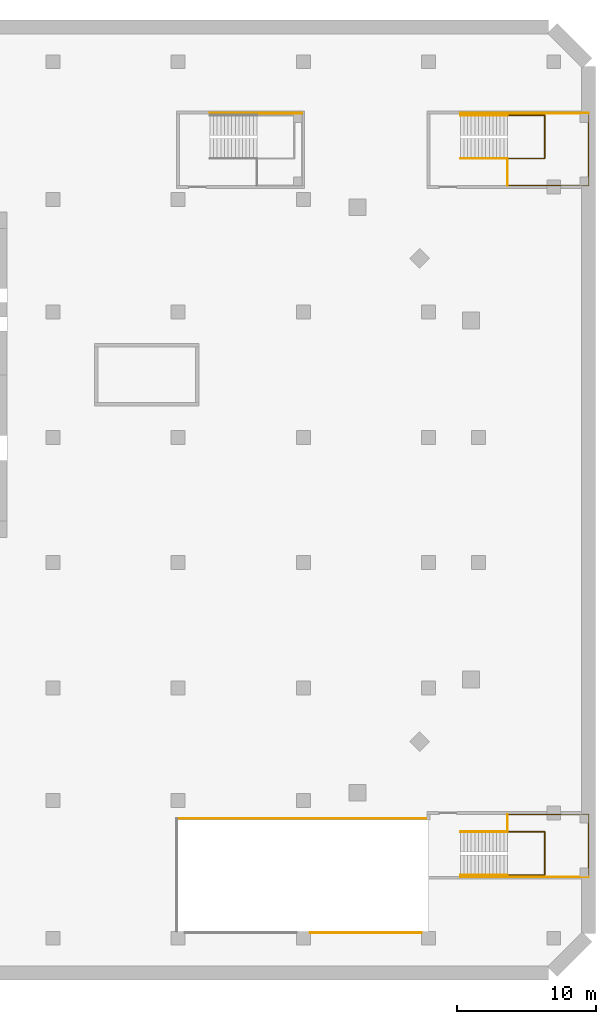
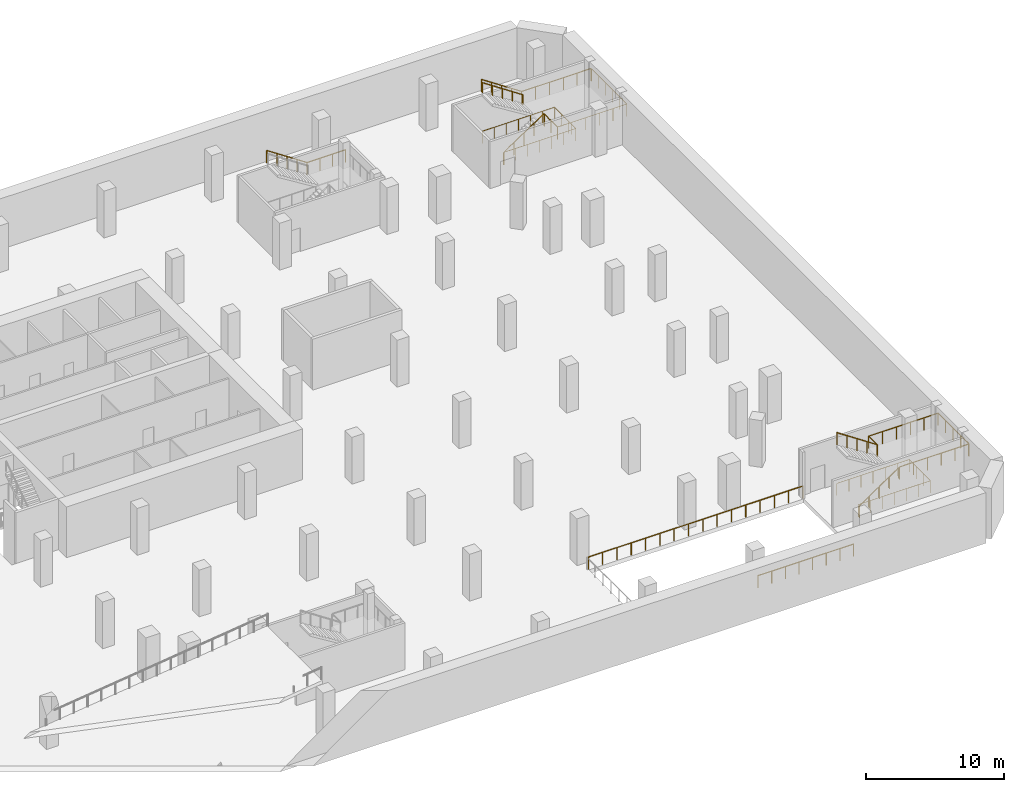
# One storey, part 15 of 16: 15 railings.
"""IFC4 building model written with IfcOpenShell, lengths in metres."""

from ifc_helpers import new_model, si_unit, direction, frame, origin, origin_2d, place, context, subcontext, project, spatial, circle, extrude, material, type_object, element, save


model = new_model("IFC4")

# Units and contexts
model_context = context("Model", 3, precision=1e-05, world=origin(), true_north=direction((0.0, 1.0)))
body_context = subcontext(model_context, "Body", "Model", "MODEL_VIEW")
ifc_project = project(units=[si_unit("LENGTHUNIT", "METRE"), si_unit("AREAUNIT", "SQUARE_METRE"), si_unit("VOLUMEUNIT", "CUBIC_METRE"), si_unit("PLANEANGLEUNIT", "RADIAN"), si_unit("MASSUNIT", "GRAM", prefix="KILO")], contexts=[model_context])

# Site, building, storey
site_placement = place(None, origin())
site = spatial("IfcSite", under=ifc_project, at=site_placement, CompositionType="ELEMENT")
building_placement = place(site_placement, origin())
building = spatial("IfcBuilding", under=site, at=building_placement, Name="Cinnabar Reach Civic Tower", CompositionType="ELEMENT")
storey_placement = place(building_placement, frame((0.0, 0.0, -9.5)))
storey = spatial("IfcBuildingStorey", under=building, at=storey_placement, Name="B2", CompositionType="ELEMENT", Elevation=-9.5)

# Railings
ifc_material_1 = material(Name="Stainless steel and glass", Category="steel")
railing_type_1 = type_object("IfcRailingType", Name="Podium guard 1100", PredefinedType="GUARDRAIL", material=ifc_material_1)
railing_1_placement = place(storey_placement, frame((59.68, -1.35, 2.25)))
element("IfcRailing", 1, at=railing_1_placement, inside=storey, type_object=railing_type_1, Name="Stair guard PS4 B2", PredefinedType="GUARDRAIL", context=body_context, shape_type="SweptSolid", body=[
    extrude(circle(Radius=0.024, at=origin_2d()), frame((0.0, 0.0, 1.076), z_axis=(-0.832428993721, 0.0, 0.554131726589), x_axis=(0.0, -1.0, 0.0)), (0.0, 0.0, 1.0), 4.0604),
    extrude(circle(Radius=0.021, at=origin_2d()), origin(), (0.0, 0.0, 1.0), 1.052),
    extrude(circle(Radius=0.021, at=origin_2d()), frame((-0.845, 0.0, 0.5625)), (0.0, 0.0, 1.0), 1.052),
    extrude(circle(Radius=0.021, at=origin_2d()), frame((-1.69, 0.0, 1.125)), (0.0, 0.0, 1.0), 1.052),
    extrude(circle(Radius=0.021, at=origin_2d()), frame((-2.535, 0.0, 1.6875)), (0.0, 0.0, 1.0), 1.052),
    extrude(circle(Radius=0.021, at=origin_2d()), frame((-3.38, 0.0, 2.25)), (0.0, 0.0, 1.0), 1.052),
])
railing_2_placement = place(storey_placement, frame((59.68, -0.1, 2.25)))
element("IfcRailing", 2, at=railing_2_placement, inside=storey, type_object=railing_type_1, Name="Landing guard PS4 B2", PredefinedType="GUARDRAIL", context=body_context, shape_type="SweptSolid", body=[
    extrude(circle(Radius=0.024, at=origin_2d()), frame((0.0, 0.0, 1.076), z_axis=(1.0, 0.0, 0.0), x_axis=(0.0, 1.0, 0.0)), (0.0, 0.0, 1.0), 5.82),
    extrude(circle(Radius=0.024, at=origin_2d()), frame((5.82, 0.0, 1.076), z_axis=(0.0, -1.0, 0.0), x_axis=(1.0, 0.0, 0.0)), (0.0, 0.0, 1.0), 4.4),
    extrude(circle(Radius=0.021, at=origin_2d()), origin(), (0.0, 0.0, 1.0), 1.052),
    extrude(circle(Radius=0.021, at=origin_2d()), frame((1.164, 0.0, 0.0)), (0.0, 0.0, 1.0), 1.052),
    extrude(circle(Radius=0.021, at=origin_2d()), frame((2.328, 0.0, 0.0)), (0.0, 0.0, 1.0), 1.052),
    extrude(circle(Radius=0.021, at=origin_2d()), frame((3.492, 0.0, 0.0)), (0.0, 0.0, 1.0), 1.052),
    extrude(circle(Radius=0.021, at=origin_2d()), frame((4.656, 0.0, 0.0)), (0.0, 0.0, 1.0), 1.052),
    extrude(circle(Radius=0.021, at=origin_2d()), frame((5.82, 0.0, 0.0)), (0.0, 0.0, 1.0), 1.052),
    extrude(circle(Radius=0.021, at=origin_2d()), frame((5.82, -1.1, 0.0)), (0.0, 0.0, 1.0), 1.052),
    extrude(circle(Radius=0.021, at=origin_2d()), frame((5.82, -2.2, 0.0)), (0.0, 0.0, 1.0), 1.052),
    extrude(circle(Radius=0.021, at=origin_2d()), frame((5.82, -3.3, 0.0)), (0.0, 0.0, 1.0), 1.052),
    extrude(circle(Radius=0.021, at=origin_2d()), frame((5.82, -4.4, 0.0)), (0.0, 0.0, 1.0), 1.052),
])
railing_3_placement = place(storey_placement, frame((59.68, -1.3, 2.25)))
element("IfcRailing", 3, at=railing_3_placement, inside=storey, type_object=railing_type_1, Name="Landing guard PS4 B2 inner", PredefinedType="GUARDRAIL", context=body_context, shape_type="SweptSolid", body=[
    extrude(circle(Radius=0.024, at=origin_2d()), frame((0.0, 0.0, 1.076), z_axis=(0.0, 1.0, 0.0), x_axis=(-1.0, 0.0, 0.0)), (0.0, 0.0, 1.0), 1.2),
    extrude(circle(Radius=0.021, at=origin_2d()), origin(), (0.0, 0.0, 1.0), 1.052),
    extrude(circle(Radius=0.021, at=origin_2d()), frame((0.0, 1.2, 0.0)), (0.0, 0.0, 1.0), 1.052),
])
railing_4_placement = place(storey_placement, frame((56.3, -4.6, 0.0)))
element("IfcRailing", 4, at=railing_4_placement, inside=storey, type_object=railing_type_1, Name="Stair wall side guard PS4 B2", PredefinedType="GUARDRAIL", context=body_context, shape_type="SweptSolid", body=[
    extrude(circle(Radius=0.024, at=origin_2d()), frame((0.0, 0.0, 1.076), z_axis=(0.832428993721, 0.0, 0.554131726589), x_axis=(0.0, 1.0, 0.0)), (0.0, 0.0, 1.0), 4.0604),
    extrude(circle(Radius=0.024, at=origin_2d()), frame((3.38, 0.0, 3.326), z_axis=(1.0, 0.0, 0.0), x_axis=(0.0, 1.0, 0.0)), (0.0, 0.0, 1.0), 5.82),
    extrude(circle(Radius=0.021, at=origin_2d()), origin(), (0.0, 0.0, 1.0), 1.052),
    extrude(circle(Radius=0.021, at=origin_2d()), frame((0.845, 0.0, 0.5625)), (0.0, 0.0, 1.0), 1.052),
    extrude(circle(Radius=0.021, at=origin_2d()), frame((1.69, 0.0, 1.125)), (0.0, 0.0, 1.0), 1.052),
    extrude(circle(Radius=0.021, at=origin_2d()), frame((2.535, 0.0, 1.6875)), (0.0, 0.0, 1.0), 1.052),
    extrude(circle(Radius=0.021, at=origin_2d()), frame((3.38, 0.0, 2.25)), (0.0, 0.0, 1.0), 1.052),
    extrude(circle(Radius=0.021, at=origin_2d()), frame((4.544, 0.0, 2.25)), (0.0, 0.0, 1.0), 1.052),
    extrude(circle(Radius=0.021, at=origin_2d()), frame((5.708, 0.0, 2.25)), (0.0, 0.0, 1.0), 1.052),
    extrude(circle(Radius=0.021, at=origin_2d()), frame((6.872, 0.0, 2.25)), (0.0, 0.0, 1.0), 1.052),
    extrude(circle(Radius=0.021, at=origin_2d()), frame((8.036, 0.0, 2.25)), (0.0, 0.0, 1.0), 1.052),
    extrude(circle(Radius=0.021, at=origin_2d()), frame((9.2, 0.0, 2.25)), (0.0, 0.0, 1.0), 1.052),
])
railing_5_placement = place(storey_placement, frame((56.3, -4.45, 0.0)))
element("IfcRailing", 5, at=railing_5_placement, inside=storey, type_object=railing_type_1, Name="Stair well guard PS4 B2", PredefinedType="GUARDRAIL", context=body_context, shape_type="SweptSolid", body=[
    extrude(circle(Radius=0.024, at=origin_2d()), frame((0.0, 0.0, 1.076), z_axis=(1.0, 0.0, 0.0), x_axis=(0.0, 1.0, 0.0)), (0.0, 0.0, 1.0), 6.05),
    extrude(circle(Radius=0.024, at=origin_2d()), frame((6.05, 0.0, 1.076), z_axis=(0.0, 1.0, 0.0), x_axis=(-1.0, 0.0, 0.0)), (0.0, 0.0, 1.0), 3.1),
    extrude(circle(Radius=0.024, at=origin_2d()), frame((6.05, 3.1, 1.076), z_axis=(-1.0, 0.0, 0.0), x_axis=(0.0, -1.0, 0.0)), (0.0, 0.0, 1.0), 6.05),
    extrude(circle(Radius=0.021, at=origin_2d()), origin(), (0.0, 0.0, 1.0), 1.052),
    extrude(circle(Radius=0.021, at=origin_2d()), frame((1.0083, 0.0, 0.0)), (0.0, 0.0, 1.0), 1.052),
    extrude(circle(Radius=0.021, at=origin_2d()), frame((2.0167, 0.0, 0.0)), (0.0, 0.0, 1.0), 1.052),
    extrude(circle(Radius=0.021, at=origin_2d()), frame((3.025, 0.0, 0.0)), (0.0, 0.0, 1.0), 1.052),
    extrude(circle(Radius=0.021, at=origin_2d()), frame((4.0333, 0.0, 0.0)), (0.0, 0.0, 1.0), 1.052),
    extrude(circle(Radius=0.021, at=origin_2d()), frame((5.0417, 0.0, 0.0)), (0.0, 0.0, 1.0), 1.052),
    extrude(circle(Radius=0.021, at=origin_2d()), frame((6.05, 0.0, 0.0)), (0.0, 0.0, 1.0), 1.052),
    extrude(circle(Radius=0.021, at=origin_2d()), frame((6.05, 1.0333, 0.0)), (0.0, 0.0, 1.0), 1.052),
    extrude(circle(Radius=0.021, at=origin_2d()), frame((6.05, 2.0667, 0.0)), (0.0, 0.0, 1.0), 1.052),
    extrude(circle(Radius=0.021, at=origin_2d()), frame((6.05, 3.1, 0.0)), (0.0, 0.0, 1.0), 1.052),
    extrude(circle(Radius=0.021, at=origin_2d()), frame((5.0417, 3.1, 0.0)), (0.0, 0.0, 1.0), 1.052),
    extrude(circle(Radius=0.021, at=origin_2d()), frame((4.0333, 3.1, 0.0)), (0.0, 0.0, 1.0), 1.052),
    extrude(circle(Radius=0.021, at=origin_2d()), frame((3.025, 3.1, 0.0)), (0.0, 0.0, 1.0), 1.052),
    extrude(circle(Radius=0.021, at=origin_2d()), frame((2.0167, 3.1, 0.0)), (0.0, 0.0, 1.0), 1.052),
    extrude(circle(Radius=0.021, at=origin_2d()), frame((1.0083, 3.1, 0.0)), (0.0, 0.0, 1.0), 1.052),
    extrude(circle(Radius=0.021, at=origin_2d()), frame((0.0, 3.1, 0.0)), (0.0, 0.0, 1.0), 1.052),
])
railing_6_placement = place(storey_placement, frame((56.3, 47.05, 0.0)))
element("IfcRailing", 6, at=railing_6_placement, inside=storey, type_object=railing_type_1, Name="Stair guard PS5 B2", PredefinedType="GUARDRAIL", context=body_context, shape_type="SweptSolid", body=[
    extrude(circle(Radius=0.024, at=origin_2d()), frame((0.0, 0.0, 1.076), z_axis=(0.832428993721, 0.0, 0.554131726589), x_axis=(0.0, 1.0, 0.0)), (0.0, 0.0, 1.0), 4.0604),
    extrude(circle(Radius=0.021, at=origin_2d()), origin(), (0.0, 0.0, 1.0), 1.052),
    extrude(circle(Radius=0.021, at=origin_2d()), frame((0.845, 0.0, 0.5625)), (0.0, 0.0, 1.0), 1.052),
    extrude(circle(Radius=0.021, at=origin_2d()), frame((1.69, 0.0, 1.125)), (0.0, 0.0, 1.0), 1.052),
    extrude(circle(Radius=0.021, at=origin_2d()), frame((2.535, 0.0, 1.6875)), (0.0, 0.0, 1.0), 1.052),
    extrude(circle(Radius=0.021, at=origin_2d()), frame((3.38, 0.0, 2.25)), (0.0, 0.0, 1.0), 1.052),
])
railing_7_placement = place(storey_placement, frame((59.68, 45.1, 2.25)))
element("IfcRailing", 7, at=railing_7_placement, inside=storey, type_object=railing_type_1, Name="Landing guard PS5 B2", PredefinedType="GUARDRAIL", context=body_context, shape_type="SweptSolid", body=[
    extrude(circle(Radius=0.024, at=origin_2d()), frame((0.0, 0.0, 1.076), z_axis=(1.0, 0.0, 0.0), x_axis=(0.0, 1.0, 0.0)), (0.0, 0.0, 1.0), 5.82),
    extrude(circle(Radius=0.024, at=origin_2d()), frame((5.82, 0.0, 1.076), z_axis=(0.0, 1.0, 0.0), x_axis=(-1.0, 0.0, 0.0)), (0.0, 0.0, 1.0), 5.1),
    extrude(circle(Radius=0.021, at=origin_2d()), origin(), (0.0, 0.0, 1.0), 1.052),
    extrude(circle(Radius=0.021, at=origin_2d()), frame((1.164, 0.0, 0.0)), (0.0, 0.0, 1.0), 1.052),
    extrude(circle(Radius=0.021, at=origin_2d()), frame((2.328, 0.0, 0.0)), (0.0, 0.0, 1.0), 1.052),
    extrude(circle(Radius=0.021, at=origin_2d()), frame((3.492, 0.0, 0.0)), (0.0, 0.0, 1.0), 1.052),
    extrude(circle(Radius=0.021, at=origin_2d()), frame((4.656, 0.0, 0.0)), (0.0, 0.0, 1.0), 1.052),
    extrude(circle(Radius=0.021, at=origin_2d()), frame((5.82, 0.0, 0.0)), (0.0, 0.0, 1.0), 1.052),
    extrude(circle(Radius=0.021, at=origin_2d()), frame((5.82, 1.02, 0.0)), (0.0, 0.0, 1.0), 1.052),
    extrude(circle(Radius=0.021, at=origin_2d()), frame((5.82, 2.04, 0.0)), (0.0, 0.0, 1.0), 1.052),
    extrude(circle(Radius=0.021, at=origin_2d()), frame((5.82, 3.06, 0.0)), (0.0, 0.0, 1.0), 1.052),
    extrude(circle(Radius=0.021, at=origin_2d()), frame((5.82, 4.08, 0.0)), (0.0, 0.0, 1.0), 1.052),
    extrude(circle(Radius=0.021, at=origin_2d()), frame((5.82, 5.1, 0.0)), (0.0, 0.0, 1.0), 1.052),
])
railing_8_placement = place(storey_placement, frame((59.68, 45.1, 2.25)))
element("IfcRailing", 8, at=railing_8_placement, inside=storey, type_object=railing_type_1, Name="Landing guard PS5 B2 inner", PredefinedType="GUARDRAIL", context=body_context, shape_type="SweptSolid", body=[
    extrude(circle(Radius=0.024, at=origin_2d()), frame((0.0, 0.0, 1.076), z_axis=(0.0, 1.0, 0.0), x_axis=(-1.0, 0.0, 0.0)), (0.0, 0.0, 1.0), 1.9),
    extrude(circle(Radius=0.021, at=origin_2d()), origin(), (0.0, 0.0, 1.0), 1.052),
    extrude(circle(Radius=0.021, at=origin_2d()), frame((0.0, 0.95, 0.0)), (0.0, 0.0, 1.0), 1.052),
    extrude(circle(Radius=0.021, at=origin_2d()), frame((0.0, 1.9, 0.0)), (0.0, 0.0, 1.0), 1.052),
])
railing_9_placement = place(storey_placement, frame((65.5, 50.3, 2.25)))
element("IfcRailing", 9, at=railing_9_placement, inside=storey, type_object=railing_type_1, Name="Stair wall side guard PS5 B2", PredefinedType="GUARDRAIL", context=body_context, shape_type="SweptSolid", body=[
    extrude(circle(Radius=0.024, at=origin_2d()), frame((0.0, 0.0, 1.076), z_axis=(-1.0, 0.0, 0.0), x_axis=(0.0, -1.0, 0.0)), (0.0, 0.0, 1.0), 5.82),
    extrude(circle(Radius=0.024, at=origin_2d()), frame((-5.82, 0.0, 1.076), z_axis=(-0.832428993721, 0.0, 0.554131726589), x_axis=(0.0, -1.0, 0.0)), (0.0, 0.0, 1.0), 4.0604),
    extrude(circle(Radius=0.021, at=origin_2d()), origin(), (0.0, 0.0, 1.0), 1.052),
    extrude(circle(Radius=0.021, at=origin_2d()), frame((-1.164, 0.0, 0.0)), (0.0, 0.0, 1.0), 1.052),
    extrude(circle(Radius=0.021, at=origin_2d()), frame((-2.328, 0.0, 0.0)), (0.0, 0.0, 1.0), 1.052),
    extrude(circle(Radius=0.021, at=origin_2d()), frame((-3.492, 0.0, 0.0)), (0.0, 0.0, 1.0), 1.052),
    extrude(circle(Radius=0.021, at=origin_2d()), frame((-4.656, 0.0, 0.0)), (0.0, 0.0, 1.0), 1.052),
    extrude(circle(Radius=0.021, at=origin_2d()), frame((-5.82, 0.0, 0.0)), (0.0, 0.0, 1.0), 1.052),
    extrude(circle(Radius=0.021, at=origin_2d()), frame((-6.665, 0.0, 0.5625)), (0.0, 0.0, 1.0), 1.052),
    extrude(circle(Radius=0.021, at=origin_2d()), frame((-7.51, 0.0, 1.125)), (0.0, 0.0, 1.0), 1.052),
    extrude(circle(Radius=0.021, at=origin_2d()), frame((-8.355, 0.0, 1.6875)), (0.0, 0.0, 1.0), 1.052),
    extrude(circle(Radius=0.021, at=origin_2d()), frame((-9.2, 0.0, 2.25)), (0.0, 0.0, 1.0), 1.052),
])
railing_10_placement = place(storey_placement, frame((56.3, 47.05, 0.0)))
element("IfcRailing", 10, at=railing_10_placement, inside=storey, type_object=railing_type_1, Name="Stair well guard PS5 B2", PredefinedType="GUARDRAIL", context=body_context, shape_type="SweptSolid", body=[
    extrude(circle(Radius=0.024, at=origin_2d()), frame((0.0, 0.0, 1.076), z_axis=(1.0, 0.0, 0.0), x_axis=(0.0, 1.0, 0.0)), (0.0, 0.0, 1.0), 6.05),
    extrude(circle(Radius=0.024, at=origin_2d()), frame((6.05, 0.0, 1.076), z_axis=(0.0, 1.0, 0.0), x_axis=(-1.0, 0.0, 0.0)), (0.0, 0.0, 1.0), 3.1),
    extrude(circle(Radius=0.024, at=origin_2d()), frame((6.05, 3.1, 1.076), z_axis=(-1.0, 0.0, 0.0), x_axis=(0.0, -1.0, 0.0)), (0.0, 0.0, 1.0), 6.05),
    extrude(circle(Radius=0.021, at=origin_2d()), origin(), (0.0, 0.0, 1.0), 1.052),
    extrude(circle(Radius=0.021, at=origin_2d()), frame((1.0083, 0.0, 0.0)), (0.0, 0.0, 1.0), 1.052),
    extrude(circle(Radius=0.021, at=origin_2d()), frame((2.0167, 0.0, 0.0)), (0.0, 0.0, 1.0), 1.052),
    extrude(circle(Radius=0.021, at=origin_2d()), frame((3.025, 0.0, 0.0)), (0.0, 0.0, 1.0), 1.052),
    extrude(circle(Radius=0.021, at=origin_2d()), frame((4.0333, 0.0, 0.0)), (0.0, 0.0, 1.0), 1.052),
    extrude(circle(Radius=0.021, at=origin_2d()), frame((5.0417, 0.0, 0.0)), (0.0, 0.0, 1.0), 1.052),
    extrude(circle(Radius=0.021, at=origin_2d()), frame((6.05, 0.0, 0.0)), (0.0, 0.0, 1.0), 1.052),
    extrude(circle(Radius=0.021, at=origin_2d()), frame((6.05, 1.0333, 0.0)), (0.0, 0.0, 1.0), 1.052),
    extrude(circle(Radius=0.021, at=origin_2d()), frame((6.05, 2.0667, 0.0)), (0.0, 0.0, 1.0), 1.052),
    extrude(circle(Radius=0.021, at=origin_2d()), frame((6.05, 3.1, 0.0)), (0.0, 0.0, 1.0), 1.052),
    extrude(circle(Radius=0.021, at=origin_2d()), frame((5.0417, 3.1, 0.0)), (0.0, 0.0, 1.0), 1.052),
    extrude(circle(Radius=0.021, at=origin_2d()), frame((4.0333, 3.1, 0.0)), (0.0, 0.0, 1.0), 1.052),
    extrude(circle(Radius=0.021, at=origin_2d()), frame((3.025, 3.1, 0.0)), (0.0, 0.0, 1.0), 1.052),
    extrude(circle(Radius=0.021, at=origin_2d()), frame((2.0167, 3.1, 0.0)), (0.0, 0.0, 1.0), 1.052),
    extrude(circle(Radius=0.021, at=origin_2d()), frame((1.0083, 3.1, 0.0)), (0.0, 0.0, 1.0), 1.052),
    extrude(circle(Radius=0.021, at=origin_2d()), frame((0.0, 3.1, 0.0)), (0.0, 0.0, 1.0), 1.052),
])
railing_11_placement = place(storey_placement, frame((44.9, 50.3, 2.25)))
element("IfcRailing", 11, at=railing_11_placement, inside=storey, type_object=railing_type_1, Name="Stair wall side guard PS6 B2", PredefinedType="GUARDRAIL", context=body_context, shape_type="SweptSolid", body=[
    extrude(circle(Radius=0.024, at=origin_2d()), frame((0.0, 0.0, 1.076), z_axis=(-1.0, 0.0, 0.0), x_axis=(0.0, -1.0, 0.0)), (0.0, 0.0, 1.0), 3.22),
    extrude(circle(Radius=0.024, at=origin_2d()), frame((-3.22, 0.0, 1.076), z_axis=(-0.832428993721, 0.0, 0.554131726589), x_axis=(0.0, -1.0, 0.0)), (0.0, 0.0, 1.0), 4.0604),
    extrude(circle(Radius=0.021, at=origin_2d()), origin(), (0.0, 0.0, 1.0), 1.052),
    extrude(circle(Radius=0.021, at=origin_2d()), frame((-1.0733, 0.0, 0.0)), (0.0, 0.0, 1.0), 1.052),
    extrude(circle(Radius=0.021, at=origin_2d()), frame((-2.1467, 0.0, 0.0)), (0.0, 0.0, 1.0), 1.052),
    extrude(circle(Radius=0.021, at=origin_2d()), frame((-3.22, 0.0, 0.0)), (0.0, 0.0, 1.0), 1.052),
    extrude(circle(Radius=0.021, at=origin_2d()), frame((-4.065, 0.0, 0.5625)), (0.0, 0.0, 1.0), 1.052),
    extrude(circle(Radius=0.021, at=origin_2d()), frame((-4.91, 0.0, 1.125)), (0.0, 0.0, 1.0), 1.052),
    extrude(circle(Radius=0.021, at=origin_2d()), frame((-5.755, 0.0, 1.6875)), (0.0, 0.0, 1.0), 1.052),
    extrude(circle(Radius=0.021, at=origin_2d()), frame((-6.6, 0.0, 2.25)), (0.0, 0.0, 1.0), 1.052),
])
railing_12_placement = place(storey_placement, frame((36.0, -0.4, 0.0)))
element("IfcRailing", 12, at=railing_12_placement, inside=storey, type_object=railing_type_1, Name="Opening guard B2 rh0-n", PredefinedType="GUARDRAIL", context=body_context, shape_type="SweptSolid", body=[
    extrude(circle(Radius=0.024, at=origin_2d()), frame((0.0, 0.0, 1.076), z_axis=(1.0, 0.0, 0.0), x_axis=(0.0, 1.0, 0.0)), (0.0, 0.0, 1.0), 18.0),
    extrude(circle(Radius=0.021, at=origin_2d()), origin(), (0.0, 0.0, 1.0), 1.052),
    extrude(circle(Radius=0.021, at=origin_2d()), frame((1.2, 0.0, 0.0)), (0.0, 0.0, 1.0), 1.052),
    extrude(circle(Radius=0.021, at=origin_2d()), frame((2.4, 0.0, 0.0)), (0.0, 0.0, 1.0), 1.052),
    extrude(circle(Radius=0.021, at=origin_2d()), frame((3.6, 0.0, 0.0)), (0.0, 0.0, 1.0), 1.052),
    extrude(circle(Radius=0.021, at=origin_2d()), frame((4.8, 0.0, 0.0)), (0.0, 0.0, 1.0), 1.052),
    extrude(circle(Radius=0.021, at=origin_2d()), frame((6.0, 0.0, 0.0)), (0.0, 0.0, 1.0), 1.052),
    extrude(circle(Radius=0.021, at=origin_2d()), frame((7.2, 0.0, 0.0)), (0.0, 0.0, 1.0), 1.052),
    extrude(circle(Radius=0.021, at=origin_2d()), frame((8.4, 0.0, 0.0)), (0.0, 0.0, 1.0), 1.052),
    extrude(circle(Radius=0.021, at=origin_2d()), frame((9.6, 0.0, 0.0)), (0.0, 0.0, 1.0), 1.052),
    extrude(circle(Radius=0.021, at=origin_2d()), frame((10.8, 0.0, 0.0)), (0.0, 0.0, 1.0), 1.052),
    extrude(circle(Radius=0.021, at=origin_2d()), frame((12.0, 0.0, 0.0)), (0.0, 0.0, 1.0), 1.052),
    extrude(circle(Radius=0.021, at=origin_2d()), frame((13.2, 0.0, 0.0)), (0.0, 0.0, 1.0), 1.052),
    extrude(circle(Radius=0.021, at=origin_2d()), frame((14.4, 0.0, 0.0)), (0.0, 0.0, 1.0), 1.052),
    extrude(circle(Radius=0.021, at=origin_2d()), frame((15.6, 0.0, 0.0)), (0.0, 0.0, 1.0), 1.052),
    extrude(circle(Radius=0.021, at=origin_2d()), frame((16.8, 0.0, 0.0)), (0.0, 0.0, 1.0), 1.052),
    extrude(circle(Radius=0.021, at=origin_2d()), frame((18.0, 0.0, 0.0)), (0.0, 0.0, 1.0), 1.052),
])
railing_13_placement = place(storey_placement, frame((45.5, -8.6, 0.0)))
element("IfcRailing", 13, at=railing_13_placement, inside=storey, type_object=railing_type_1, Name="Opening guard B2 rh0-s", PredefinedType="GUARDRAIL", context=body_context, shape_type="SweptSolid", body=[
    extrude(circle(Radius=0.024, at=origin_2d()), frame((0.0, 0.0, 1.076), z_axis=(1.0, 0.0, 0.0), x_axis=(0.0, 1.0, 0.0)), (0.0, 0.0, 1.0), 8.0),
    extrude(circle(Radius=0.021, at=origin_2d()), origin(), (0.0, 0.0, 1.0), 1.052),
    extrude(circle(Radius=0.021, at=origin_2d()), frame((1.1429, 0.0, 0.0)), (0.0, 0.0, 1.0), 1.052),
    extrude(circle(Radius=0.021, at=origin_2d()), frame((2.2857, 0.0, 0.0)), (0.0, 0.0, 1.0), 1.052),
    extrude(circle(Radius=0.021, at=origin_2d()), frame((3.4286, 0.0, 0.0)), (0.0, 0.0, 1.0), 1.052),
    extrude(circle(Radius=0.021, at=origin_2d()), frame((4.5714, 0.0, 0.0)), (0.0, 0.0, 1.0), 1.052),
    extrude(circle(Radius=0.021, at=origin_2d()), frame((5.7143, 0.0, 0.0)), (0.0, 0.0, 1.0), 1.052),
    extrude(circle(Radius=0.021, at=origin_2d()), frame((6.8571, 0.0, 0.0)), (0.0, 0.0, 1.0), 1.052),
    extrude(circle(Radius=0.021, at=origin_2d()), frame((8.0, 0.0, 0.0)), (0.0, 0.0, 1.0), 1.052),
])
ifc_material_2 = material(Name="Stainless steel", Category="steel")
railing_type_2 = type_object("IfcRailingType", Name="Podium stair handrail 900", PredefinedType="HANDRAIL", material=ifc_material_2)
railing_14_placement = place(storey_placement, frame((56.3, -4.45, 0.0)))
element("IfcRailing", 14, at=railing_14_placement, inside=storey, type_object=railing_type_2, Name="Stair handrail PS4 B2", PredefinedType="HANDRAIL", context=body_context, shape_type="SweptSolid", body=[
    extrude(circle(Radius=0.024, at=origin_2d()), frame((0.0, 0.0, 0.876), z_axis=(0.832428993721, 0.0, 0.554131726589), x_axis=(0.0, 1.0, 0.0)), (0.0, 0.0, 1.0), 4.0604),
    extrude(circle(Radius=0.021, at=origin_2d()), origin(), (0.0, 0.0, 1.0), 0.852),
    extrude(circle(Radius=0.021, at=origin_2d()), frame((0.845, 0.0, 0.5625)), (0.0, 0.0, 1.0), 0.852),
    extrude(circle(Radius=0.021, at=origin_2d()), frame((1.69, 0.0, 1.125)), (0.0, 0.0, 1.0), 0.852),
    extrude(circle(Radius=0.021, at=origin_2d()), frame((2.535, 0.0, 1.6875)), (0.0, 0.0, 1.0), 0.852),
    extrude(circle(Radius=0.021, at=origin_2d()), frame((3.38, 0.0, 2.25)), (0.0, 0.0, 1.0), 0.852),
])
railing_15_placement = place(storey_placement, frame((59.68, 50.15, 2.25)))
element("IfcRailing", 15, at=railing_15_placement, inside=storey, type_object=railing_type_2, Name="Stair handrail PS5 B2", PredefinedType="HANDRAIL", context=body_context, shape_type="SweptSolid", body=[
    extrude(circle(Radius=0.024, at=origin_2d()), frame((0.0, 0.0, 0.876), z_axis=(-0.832428993721, 0.0, 0.554131726589), x_axis=(0.0, -1.0, 0.0)), (0.0, 0.0, 1.0), 4.0604),
    extrude(circle(Radius=0.021, at=origin_2d()), origin(), (0.0, 0.0, 1.0), 0.852),
    extrude(circle(Radius=0.021, at=origin_2d()), frame((-0.845, 0.0, 0.5625)), (0.0, 0.0, 1.0), 0.852),
    extrude(circle(Radius=0.021, at=origin_2d()), frame((-1.69, 0.0, 1.125)), (0.0, 0.0, 1.0), 0.852),
    extrude(circle(Radius=0.021, at=origin_2d()), frame((-2.535, 0.0, 1.6875)), (0.0, 0.0, 1.0), 0.852),
    extrude(circle(Radius=0.021, at=origin_2d()), frame((-3.38, 0.0, 2.25)), (0.0, 0.0, 1.0), 0.852),
])

save(model, "model.ifc")
